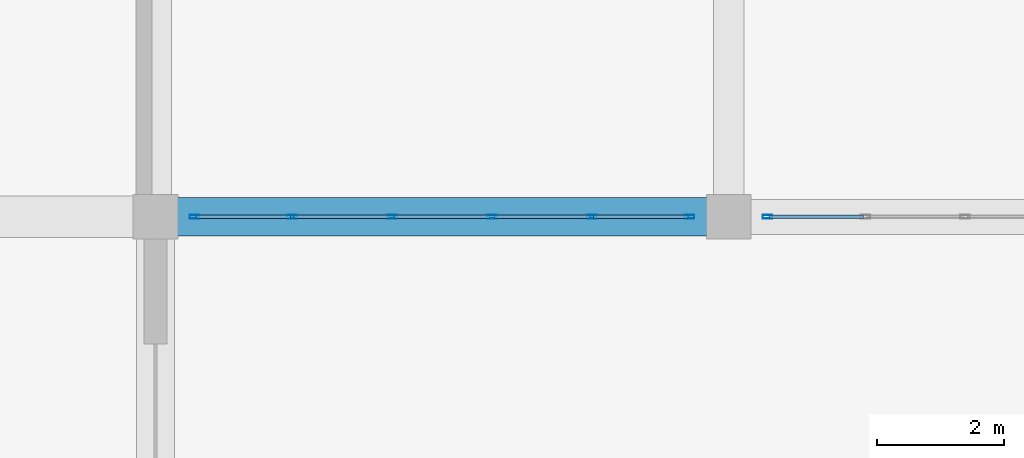
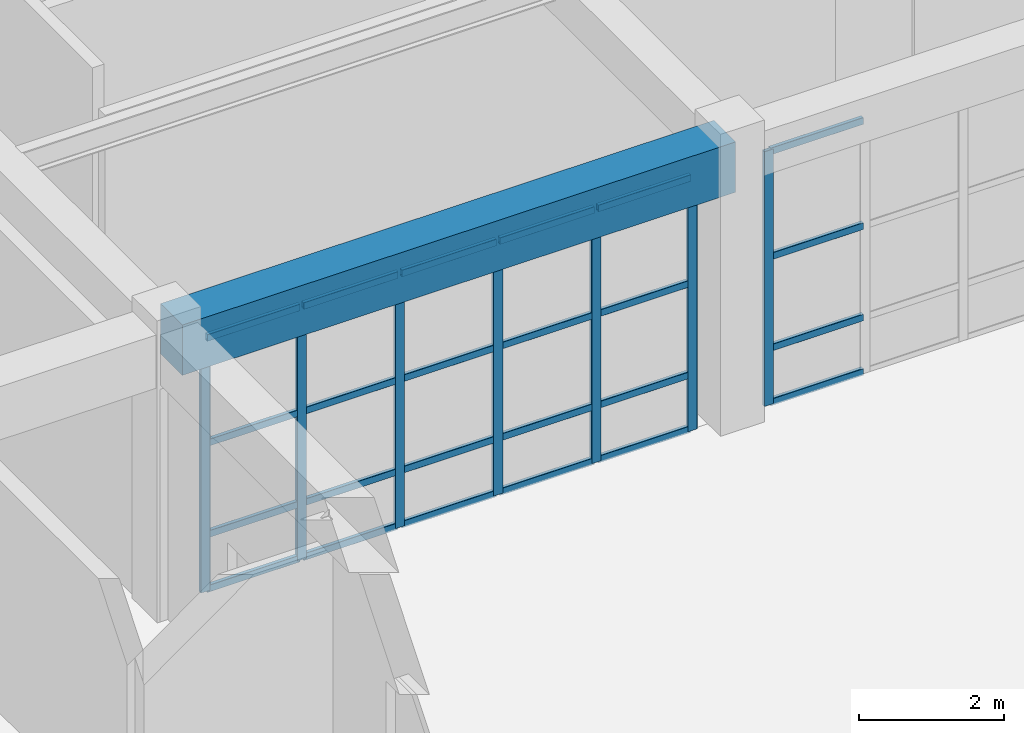
# One storey, part 45 of 128: 31 members, 1 beam, 2 elements without a shape of their own.
"""IFC4 building model written with IfcOpenShell, lengths in metres."""

from ifc_helpers import new_model, si_unit, direction, frame, origin, origin_2d, place, context, subcontext, project, spatial, rectangle, hollow_rectangle, extrude, material, material_profile, profile_set, type_object, element, aggregate, save


model = new_model("IFC4")

# Units and contexts
model_context = context("Model", 3, precision=1e-05, world=origin(), true_north=direction((0.0, 1.0)))
body_context = subcontext(model_context, "Body", "Model", "MODEL_VIEW")
ifc_project = project(units=[si_unit("LENGTHUNIT", "METRE"), si_unit("AREAUNIT", "SQUARE_METRE"), si_unit("VOLUMEUNIT", "CUBIC_METRE"), si_unit("PLANEANGLEUNIT", "RADIAN"), si_unit("MASSUNIT", "GRAM", prefix="KILO")], contexts=[model_context])

# Site, building, storey
site_placement = place(None, origin())
site = spatial("IfcSite", under=ifc_project, at=site_placement, CompositionType="ELEMENT")
building_placement = place(site_placement, origin())
building = spatial("IfcBuilding", under=site, at=building_placement, Name="Miravela Opera House", CompositionType="ELEMENT")
storey_placement = place(building_placement, origin())
storey = spatial("IfcBuildingStorey", under=building, at=storey_placement, Name="L00", CompositionType="ELEMENT", Elevation=0.0)

# Curtain wall, members
ifc_material_1 = material(Name="Anodised architectural bronze aluminium 6063-T6", Category="aluminium")
curtain_wall_type = type_object("IfcCurtainWallType", Name="ARC-CW-06", PredefinedType="NOTDEFINED", material=ifc_material_1)
curtain_wall_1_placement = place(storey_placement, origin())
curtain_wall_1 = element("IfcCurtainWall", 1, at=curtain_wall_1_placement, inside=storey, type_object=curtain_wall_type, Name="Courtyard Arcade Curtain Wall CW-L00-158", PredefinedType="NOTDEFINED")
ifc_material_profile_1 = material_profile(ifc_material_1, hollow_rectangle(XDim=0.06005859375, YDim=0.14990234375, WallThickness=0.00390625, InnerFilletRadius=0.001953125, OuterFilletRadius=0.00390625, at=origin_2d()), Name="CWM-60X150")
ifc_profile_set_1 = profile_set([ifc_material_profile_1])
member_type_1 = type_object("IfcMemberType", Name="ARC-CWM-150", PredefinedType="MULLION", material=ifc_profile_set_1)
member_1_placement = place(storey_placement, frame((117.610107421875, 28.0, 0.0), z_axis=(0.0, 0.0, 1.0), x_axis=(0.0, 1.0, 0.0)))
member_1 = element("IfcMember", 2, at=member_1_placement, type_object=member_type_1, Name="CW-06 mullion 1", PredefinedType="MULLION", context=body_context, shape_type="SweptSolid", body=[
    extrude(hollow_rectangle(XDim=0.06005859375, YDim=0.14990234375, WallThickness=0.00390625, InnerFilletRadius=0.001953125, OuterFilletRadius=0.00390625, at=origin_2d()), origin(), (0.0, 0.0, 1.0), 4.300048828125),
])
member_2_placement = place(storey_placement, frame((119.14794921875, 28.0, 0.0), z_axis=(0.0, 0.0, 1.0), x_axis=(0.0, 1.0, 0.0)))
member_2 = element("IfcMember", 3, at=member_2_placement, type_object=member_type_1, Name="CW-06 mullion 2", PredefinedType="MULLION", context=body_context, shape_type="SweptSolid", body=[
    extrude(hollow_rectangle(XDim=0.06005859375, YDim=0.14990234375, WallThickness=0.00390625, InnerFilletRadius=0.001953125, OuterFilletRadius=0.00390625, at=origin_2d()), origin(), (0.0, 0.0, 1.0), 4.300048828125),
])
member_3_placement = place(storey_placement, frame((120.716064453125, 28.0, 0.0), z_axis=(0.0, 0.0, 1.0), x_axis=(0.0, 1.0, 0.0)))
member_3 = element("IfcMember", 4, at=member_3_placement, type_object=member_type_1, Name="CW-06 mullion 3", PredefinedType="MULLION", context=body_context, shape_type="SweptSolid", body=[
    extrude(hollow_rectangle(XDim=0.06005859375, YDim=0.14990234375, WallThickness=0.00390625, InnerFilletRadius=0.001953125, OuterFilletRadius=0.00390625, at=origin_2d()), origin(), (0.0, 0.0, 1.0), 4.300048828125),
])
member_4_placement = place(storey_placement, frame((122.283935546875, 28.0, 0.0), z_axis=(0.0, 0.0, 1.0), x_axis=(0.0, 1.0, 0.0)))
member_4 = element("IfcMember", 5, at=member_4_placement, type_object=member_type_1, Name="CW-06 mullion 4", PredefinedType="MULLION", context=body_context, shape_type="SweptSolid", body=[
    extrude(hollow_rectangle(XDim=0.06005859375, YDim=0.14990234375, WallThickness=0.00390625, InnerFilletRadius=0.001953125, OuterFilletRadius=0.00390625, at=origin_2d()), origin(), (0.0, 0.0, 1.0), 4.300048828125),
])
member_5_placement = place(storey_placement, frame((123.85205078125, 28.0, 0.0), z_axis=(0.0, 0.0, 1.0), x_axis=(0.0, 1.0, 0.0)))
member_5 = element("IfcMember", 6, at=member_5_placement, type_object=member_type_1, Name="CW-06 mullion 5", PredefinedType="MULLION", context=body_context, shape_type="SweptSolid", body=[
    extrude(hollow_rectangle(XDim=0.06005859375, YDim=0.14990234375, WallThickness=0.00390625, InnerFilletRadius=0.001953125, OuterFilletRadius=0.00390625, at=origin_2d()), origin(), (0.0, 0.0, 1.0), 4.300048828125),
])
member_6_placement = place(storey_placement, frame((125.389892578125, 28.0, 0.0), z_axis=(0.0, 0.0, 1.0), x_axis=(0.0, 1.0, 0.0)))
member_6 = element("IfcMember", 7, at=member_6_placement, type_object=member_type_1, Name="CW-06 mullion 6", PredefinedType="MULLION", context=body_context, shape_type="SweptSolid", body=[
    extrude(hollow_rectangle(XDim=0.06005859375, YDim=0.14990234375, WallThickness=0.00390625, InnerFilletRadius=0.001953125, OuterFilletRadius=0.00390625, at=origin_2d()), origin(), (0.0, 0.0, 1.0), 4.300048828125),
])

# Curtain wall, member
curtain_wall_2_placement = place(storey_placement, origin())
curtain_wall_2 = element("IfcCurtainWall", 8, at=curtain_wall_2_placement, inside=storey, type_object=curtain_wall_type, Name="Courtyard Arcade Curtain Wall CW-L00-162", PredefinedType="NOTDEFINED")
member_7_placement = place(storey_placement, frame((126.610107421875, 28.0, 0.0), z_axis=(0.0, 0.0, 1.0), x_axis=(0.0, 1.0, 0.0)))
member_7 = element("IfcMember", 9, at=member_7_placement, type_object=member_type_1, Name="CW-06 mullion 1", PredefinedType="MULLION", context=body_context, shape_type="SweptSolid", body=[
    extrude(hollow_rectangle(XDim=0.06005859375, YDim=0.14990234375, WallThickness=0.00390625, InnerFilletRadius=0.001953125, OuterFilletRadius=0.00390625, at=origin_2d()), origin(), (0.0, 0.0, 1.0), 4.300048828125),
])

# Member
ifc_material_profile_2 = material_profile(ifc_material_1, hollow_rectangle(XDim=0.06005859375, YDim=0.114990234375, WallThickness=0.00390625, InnerFilletRadius=0.001953125, OuterFilletRadius=0.00390625, at=origin_2d()), Name="CWT-60X115")
ifc_profile_set_2 = profile_set([ifc_material_profile_2])
member_type_2 = type_object("IfcMemberType", Name="ARC-CWT-115", PredefinedType="USERDEFINED", material=ifc_profile_set_2)
member_8_placement = place(storey_placement, frame((117.639892578125, 28.0, 0.030029296875), z_axis=(1.0, 0.0, 0.0), x_axis=(0.0, 1.0, 0.0)))
member_8 = element("IfcMember", 10, at=member_8_placement, type_object=member_type_2, Name="CW-06 transom 1.1", ObjectType="TRANSOM", PredefinedType="USERDEFINED", context=body_context, shape_type="SweptSolid", body=[
    extrude(hollow_rectangle(XDim=0.06005859375, YDim=0.114990234375, WallThickness=0.00390625, InnerFilletRadius=0.001953125, OuterFilletRadius=0.00390625, at=origin_2d()), origin(), (0.0, 0.0, 1.0), 1.47802734375),
])

member_9_placement = place(storey_placement, frame((117.639892578125, 28.0, 0.949951171875), z_axis=(1.0, 0.0, 0.0), x_axis=(0.0, 1.0, 0.0)))
member_9 = element("IfcMember", 11, at=member_9_placement, type_object=member_type_2, Name="CW-06 transom 1.2", ObjectType="TRANSOM", PredefinedType="USERDEFINED", context=body_context, shape_type="SweptSolid", body=[
    extrude(hollow_rectangle(XDim=0.06005859375, YDim=0.114990234375, WallThickness=0.00390625, InnerFilletRadius=0.001953125, OuterFilletRadius=0.00390625, at=origin_2d()), origin(), (0.0, 0.0, 1.0), 1.47802734375),
])

member_10_placement = place(storey_placement, frame((117.639892578125, 28.0, 2.493896484375), z_axis=(1.0, 0.0, 0.0), x_axis=(0.0, 1.0, 0.0)))
member_10 = element("IfcMember", 12, at=member_10_placement, type_object=member_type_2, Name="CW-06 transom 1.3", ObjectType="TRANSOM", PredefinedType="USERDEFINED", context=body_context, shape_type="SweptSolid", body=[
    extrude(hollow_rectangle(XDim=0.06005859375, YDim=0.114990234375, WallThickness=0.00390625, InnerFilletRadius=0.001953125, OuterFilletRadius=0.00390625, at=origin_2d()), origin(), (0.0, 0.0, 1.0), 1.47802734375),
])

member_11_placement = place(storey_placement, frame((117.639892578125, 28.0, 4.27001953125), z_axis=(1.0, 0.0, 0.0), x_axis=(0.0, 1.0, 0.0)))
member_11 = element("IfcMember", 13, at=member_11_placement, type_object=member_type_2, Name="CW-06 transom 1.4", ObjectType="TRANSOM", PredefinedType="USERDEFINED", context=body_context, shape_type="SweptSolid", body=[
    extrude(hollow_rectangle(XDim=0.06005859375, YDim=0.114990234375, WallThickness=0.00390625, InnerFilletRadius=0.001953125, OuterFilletRadius=0.00390625, at=origin_2d()), origin(), (0.0, 0.0, 1.0), 1.47802734375),
])

member_12_placement = place(storey_placement, frame((119.177978515625, 28.0, 0.030029296875), z_axis=(1.0, 0.0, 0.0), x_axis=(0.0, 1.0, 0.0)))
member_12 = element("IfcMember", 14, at=member_12_placement, type_object=member_type_2, Name="CW-06 transom 2.1", ObjectType="TRANSOM", PredefinedType="USERDEFINED", context=body_context, shape_type="SweptSolid", body=[
    extrude(hollow_rectangle(XDim=0.06005859375, YDim=0.114990234375, WallThickness=0.00390625, InnerFilletRadius=0.001953125, OuterFilletRadius=0.00390625, at=origin_2d()), origin(), (0.0, 0.0, 1.0), 1.508056640625),
])

member_13_placement = place(storey_placement, frame((119.177978515625, 28.0, 0.949951171875), z_axis=(1.0, 0.0, 0.0), x_axis=(0.0, 1.0, 0.0)))
member_13 = element("IfcMember", 15, at=member_13_placement, type_object=member_type_2, Name="CW-06 transom 2.2", ObjectType="TRANSOM", PredefinedType="USERDEFINED", context=body_context, shape_type="SweptSolid", body=[
    extrude(hollow_rectangle(XDim=0.06005859375, YDim=0.114990234375, WallThickness=0.00390625, InnerFilletRadius=0.001953125, OuterFilletRadius=0.00390625, at=origin_2d()), origin(), (0.0, 0.0, 1.0), 1.508056640625),
])

member_14_placement = place(storey_placement, frame((119.177978515625, 28.0, 2.493896484375), z_axis=(1.0, 0.0, 0.0), x_axis=(0.0, 1.0, 0.0)))
member_14 = element("IfcMember", 16, at=member_14_placement, type_object=member_type_2, Name="CW-06 transom 2.3", ObjectType="TRANSOM", PredefinedType="USERDEFINED", context=body_context, shape_type="SweptSolid", body=[
    extrude(hollow_rectangle(XDim=0.06005859375, YDim=0.114990234375, WallThickness=0.00390625, InnerFilletRadius=0.001953125, OuterFilletRadius=0.00390625, at=origin_2d()), origin(), (0.0, 0.0, 1.0), 1.508056640625),
])

member_15_placement = place(storey_placement, frame((119.177978515625, 28.0, 4.27001953125), z_axis=(1.0, 0.0, 0.0), x_axis=(0.0, 1.0, 0.0)))
member_15 = element("IfcMember", 17, at=member_15_placement, type_object=member_type_2, Name="CW-06 transom 2.4", ObjectType="TRANSOM", PredefinedType="USERDEFINED", context=body_context, shape_type="SweptSolid", body=[
    extrude(hollow_rectangle(XDim=0.06005859375, YDim=0.114990234375, WallThickness=0.00390625, InnerFilletRadius=0.001953125, OuterFilletRadius=0.00390625, at=origin_2d()), origin(), (0.0, 0.0, 1.0), 1.508056640625),
])

member_16_placement = place(storey_placement, frame((120.74609375, 28.0, 0.030029296875), z_axis=(1.0, 0.0, 0.0), x_axis=(0.0, 1.0, 0.0)))
member_16 = element("IfcMember", 18, at=member_16_placement, type_object=member_type_2, Name="CW-06 transom 3.1", ObjectType="TRANSOM", PredefinedType="USERDEFINED", context=body_context, shape_type="SweptSolid", body=[
    extrude(hollow_rectangle(XDim=0.06005859375, YDim=0.114990234375, WallThickness=0.00390625, InnerFilletRadius=0.001953125, OuterFilletRadius=0.00390625, at=origin_2d()), origin(), (0.0, 0.0, 1.0), 1.5078125),
])

member_17_placement = place(storey_placement, frame((120.74609375, 28.0, 0.949951171875), z_axis=(1.0, 0.0, 0.0), x_axis=(0.0, 1.0, 0.0)))
member_17 = element("IfcMember", 19, at=member_17_placement, type_object=member_type_2, Name="CW-06 transom 3.2", ObjectType="TRANSOM", PredefinedType="USERDEFINED", context=body_context, shape_type="SweptSolid", body=[
    extrude(hollow_rectangle(XDim=0.06005859375, YDim=0.114990234375, WallThickness=0.00390625, InnerFilletRadius=0.001953125, OuterFilletRadius=0.00390625, at=origin_2d()), origin(), (0.0, 0.0, 1.0), 1.5078125),
])

member_18_placement = place(storey_placement, frame((120.74609375, 28.0, 2.493896484375), z_axis=(1.0, 0.0, 0.0), x_axis=(0.0, 1.0, 0.0)))
member_18 = element("IfcMember", 20, at=member_18_placement, type_object=member_type_2, Name="CW-06 transom 3.3", ObjectType="TRANSOM", PredefinedType="USERDEFINED", context=body_context, shape_type="SweptSolid", body=[
    extrude(hollow_rectangle(XDim=0.06005859375, YDim=0.114990234375, WallThickness=0.00390625, InnerFilletRadius=0.001953125, OuterFilletRadius=0.00390625, at=origin_2d()), origin(), (0.0, 0.0, 1.0), 1.5078125),
])

member_19_placement = place(storey_placement, frame((120.74609375, 28.0, 4.27001953125), z_axis=(1.0, 0.0, 0.0), x_axis=(0.0, 1.0, 0.0)))
member_19 = element("IfcMember", 21, at=member_19_placement, type_object=member_type_2, Name="CW-06 transom 3.4", ObjectType="TRANSOM", PredefinedType="USERDEFINED", context=body_context, shape_type="SweptSolid", body=[
    extrude(hollow_rectangle(XDim=0.06005859375, YDim=0.114990234375, WallThickness=0.00390625, InnerFilletRadius=0.001953125, OuterFilletRadius=0.00390625, at=origin_2d()), origin(), (0.0, 0.0, 1.0), 1.5078125),
])

member_20_placement = place(storey_placement, frame((122.31396484375, 28.0, 0.030029296875), z_axis=(1.0, 0.0, 0.0), x_axis=(0.0, 1.0, 0.0)))
member_20 = element("IfcMember", 22, at=member_20_placement, type_object=member_type_2, Name="CW-06 transom 4.1", ObjectType="TRANSOM", PredefinedType="USERDEFINED", context=body_context, shape_type="SweptSolid", body=[
    extrude(hollow_rectangle(XDim=0.06005859375, YDim=0.114990234375, WallThickness=0.00390625, InnerFilletRadius=0.001953125, OuterFilletRadius=0.00390625, at=origin_2d()), origin(), (0.0, 0.0, 1.0), 1.508056640625),
])

member_21_placement = place(storey_placement, frame((122.31396484375, 28.0, 0.949951171875), z_axis=(1.0, 0.0, 0.0), x_axis=(0.0, 1.0, 0.0)))
member_21 = element("IfcMember", 23, at=member_21_placement, type_object=member_type_2, Name="CW-06 transom 4.2", ObjectType="TRANSOM", PredefinedType="USERDEFINED", context=body_context, shape_type="SweptSolid", body=[
    extrude(hollow_rectangle(XDim=0.06005859375, YDim=0.114990234375, WallThickness=0.00390625, InnerFilletRadius=0.001953125, OuterFilletRadius=0.00390625, at=origin_2d()), origin(), (0.0, 0.0, 1.0), 1.508056640625),
])

member_22_placement = place(storey_placement, frame((122.31396484375, 28.0, 2.493896484375), z_axis=(1.0, 0.0, 0.0), x_axis=(0.0, 1.0, 0.0)))
member_22 = element("IfcMember", 24, at=member_22_placement, type_object=member_type_2, Name="CW-06 transom 4.3", ObjectType="TRANSOM", PredefinedType="USERDEFINED", context=body_context, shape_type="SweptSolid", body=[
    extrude(hollow_rectangle(XDim=0.06005859375, YDim=0.114990234375, WallThickness=0.00390625, InnerFilletRadius=0.001953125, OuterFilletRadius=0.00390625, at=origin_2d()), origin(), (0.0, 0.0, 1.0), 1.508056640625),
])

member_23_placement = place(storey_placement, frame((122.31396484375, 28.0, 4.27001953125), z_axis=(1.0, 0.0, 0.0), x_axis=(0.0, 1.0, 0.0)))
member_23 = element("IfcMember", 25, at=member_23_placement, type_object=member_type_2, Name="CW-06 transom 4.4", ObjectType="TRANSOM", PredefinedType="USERDEFINED", context=body_context, shape_type="SweptSolid", body=[
    extrude(hollow_rectangle(XDim=0.06005859375, YDim=0.114990234375, WallThickness=0.00390625, InnerFilletRadius=0.001953125, OuterFilletRadius=0.00390625, at=origin_2d()), origin(), (0.0, 0.0, 1.0), 1.508056640625),
])

member_24_placement = place(storey_placement, frame((123.882080078125, 28.0, 0.030029296875), z_axis=(1.0, 0.0, 0.0), x_axis=(0.0, 1.0, 0.0)))
member_24 = element("IfcMember", 26, at=member_24_placement, type_object=member_type_2, Name="CW-06 transom 5.1", ObjectType="TRANSOM", PredefinedType="USERDEFINED", context=body_context, shape_type="SweptSolid", body=[
    extrude(hollow_rectangle(XDim=0.06005859375, YDim=0.114990234375, WallThickness=0.00390625, InnerFilletRadius=0.001953125, OuterFilletRadius=0.00390625, at=origin_2d()), origin(), (0.0, 0.0, 1.0), 1.47802734375),
])

member_25_placement = place(storey_placement, frame((123.882080078125, 28.0, 0.949951171875), z_axis=(1.0, 0.0, 0.0), x_axis=(0.0, 1.0, 0.0)))
member_25 = element("IfcMember", 27, at=member_25_placement, type_object=member_type_2, Name="CW-06 transom 5.2", ObjectType="TRANSOM", PredefinedType="USERDEFINED", context=body_context, shape_type="SweptSolid", body=[
    extrude(hollow_rectangle(XDim=0.06005859375, YDim=0.114990234375, WallThickness=0.00390625, InnerFilletRadius=0.001953125, OuterFilletRadius=0.00390625, at=origin_2d()), origin(), (0.0, 0.0, 1.0), 1.47802734375),
])

member_26_placement = place(storey_placement, frame((123.882080078125, 28.0, 2.493896484375), z_axis=(1.0, 0.0, 0.0), x_axis=(0.0, 1.0, 0.0)))
member_26 = element("IfcMember", 28, at=member_26_placement, type_object=member_type_2, Name="CW-06 transom 5.3", ObjectType="TRANSOM", PredefinedType="USERDEFINED", context=body_context, shape_type="SweptSolid", body=[
    extrude(hollow_rectangle(XDim=0.06005859375, YDim=0.114990234375, WallThickness=0.00390625, InnerFilletRadius=0.001953125, OuterFilletRadius=0.00390625, at=origin_2d()), origin(), (0.0, 0.0, 1.0), 1.47802734375),
])

member_27_placement = place(storey_placement, frame((123.882080078125, 28.0, 4.27001953125), z_axis=(1.0, 0.0, 0.0), x_axis=(0.0, 1.0, 0.0)))
member_27 = element("IfcMember", 29, at=member_27_placement, type_object=member_type_2, Name="CW-06 transom 5.4", ObjectType="TRANSOM", PredefinedType="USERDEFINED", context=body_context, shape_type="SweptSolid", body=[
    extrude(hollow_rectangle(XDim=0.06005859375, YDim=0.114990234375, WallThickness=0.00390625, InnerFilletRadius=0.001953125, OuterFilletRadius=0.00390625, at=origin_2d()), origin(), (0.0, 0.0, 1.0), 1.47802734375),
])

aggregate(curtain_wall_1, [member_1, member_2, member_3, member_4, member_5, member_6, member_8, member_9, member_10, member_11, member_12, member_13, member_14, member_15, member_16, member_17, member_18, member_19, member_20, member_21, member_22, member_23, member_24, member_25, member_26, member_27])

member_28_placement = place(storey_placement, frame((126.639892578125, 28.0, 0.030029296875), z_axis=(1.0, 0.0, 0.0), x_axis=(0.0, 1.0, 0.0)))
member_28 = element("IfcMember", 30, at=member_28_placement, type_object=member_type_2, Name="CW-06 transom 1.1", ObjectType="TRANSOM", PredefinedType="USERDEFINED", context=body_context, shape_type="SweptSolid", body=[
    extrude(hollow_rectangle(XDim=0.06005859375, YDim=0.114990234375, WallThickness=0.00390625, InnerFilletRadius=0.001953125, OuterFilletRadius=0.00390625, at=origin_2d()), origin(), (0.0, 0.0, 1.0), 1.47802734375),
])

member_29_placement = place(storey_placement, frame((126.639892578125, 28.0, 0.949951171875), z_axis=(1.0, 0.0, 0.0), x_axis=(0.0, 1.0, 0.0)))
member_29 = element("IfcMember", 31, at=member_29_placement, type_object=member_type_2, Name="CW-06 transom 1.2", ObjectType="TRANSOM", PredefinedType="USERDEFINED", context=body_context, shape_type="SweptSolid", body=[
    extrude(hollow_rectangle(XDim=0.06005859375, YDim=0.114990234375, WallThickness=0.00390625, InnerFilletRadius=0.001953125, OuterFilletRadius=0.00390625, at=origin_2d()), origin(), (0.0, 0.0, 1.0), 1.47802734375),
])

member_30_placement = place(storey_placement, frame((126.639892578125, 28.0, 2.493896484375), z_axis=(1.0, 0.0, 0.0), x_axis=(0.0, 1.0, 0.0)))
member_30 = element("IfcMember", 32, at=member_30_placement, type_object=member_type_2, Name="CW-06 transom 1.3", ObjectType="TRANSOM", PredefinedType="USERDEFINED", context=body_context, shape_type="SweptSolid", body=[
    extrude(hollow_rectangle(XDim=0.06005859375, YDim=0.114990234375, WallThickness=0.00390625, InnerFilletRadius=0.001953125, OuterFilletRadius=0.00390625, at=origin_2d()), origin(), (0.0, 0.0, 1.0), 1.47802734375),
])

member_31_placement = place(storey_placement, frame((126.639892578125, 28.0, 4.27001953125), z_axis=(1.0, 0.0, 0.0), x_axis=(0.0, 1.0, 0.0)))
member_31 = element("IfcMember", 33, at=member_31_placement, type_object=member_type_2, Name="CW-06 transom 1.4", ObjectType="TRANSOM", PredefinedType="USERDEFINED", context=body_context, shape_type="SweptSolid", body=[
    extrude(hollow_rectangle(XDim=0.06005859375, YDim=0.114990234375, WallThickness=0.00390625, InnerFilletRadius=0.001953125, OuterFilletRadius=0.00390625, at=origin_2d()), origin(), (0.0, 0.0, 1.0), 1.47802734375),
])

aggregate(curtain_wall_2, [member_7, member_28, member_29, member_30, member_31])

# Beam
ifc_material_2 = material(Name="Concrete C40/50", Category="concrete")
ifc_material_profile_3 = material_profile(ifc_material_2, rectangle(XDim=0.60009765625, YDim=0.85009765625, at=origin_2d()), Name="RC-BM-600X850")
ifc_profile_set_3 = profile_set([ifc_material_profile_3])
beam_type = type_object("IfcBeamType", Name="STR-BM-RC600X850", PredefinedType="BEAM", material=ifc_profile_set_3)
beam_placement = place(storey_placement, frame((117.080078125, 28.0, 4.425048828125), z_axis=(1.0, 0.0, 0.0), x_axis=(0.0, 1.0, 0.0)))
element("IfcBeam", 34, at=beam_placement, inside=storey, type_object=beam_type, Name="Floor Girder L00 14-15/D", PredefinedType="BEAM", context=body_context, shape_type="SweptSolid", body=[
    extrude(rectangle(XDim=0.60009765625, YDim=0.85009765625, at=origin_2d()), origin(), (0.0, 0.0, 1.0), 8.83984375),
])

save(model, "model.ifc")
